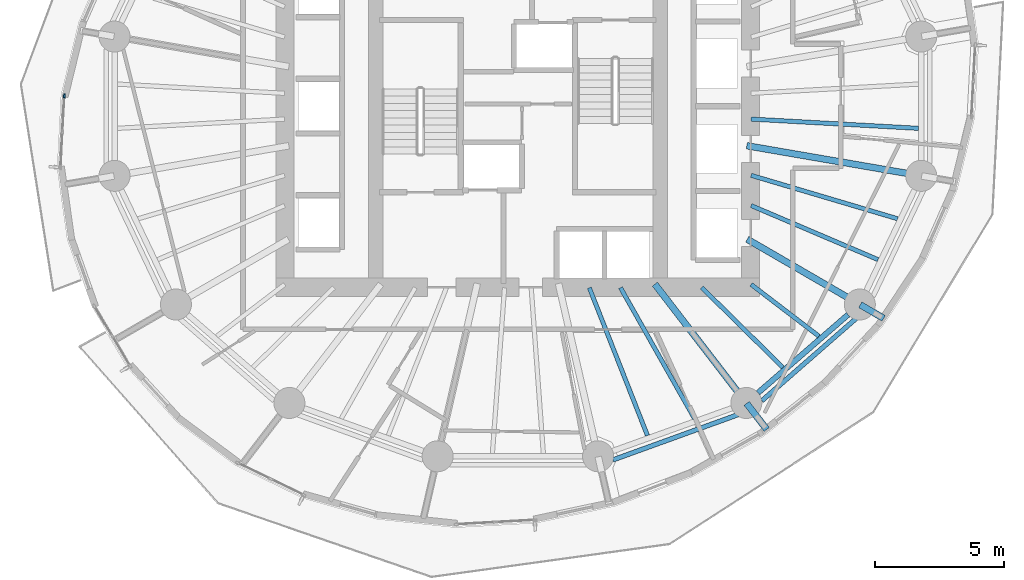
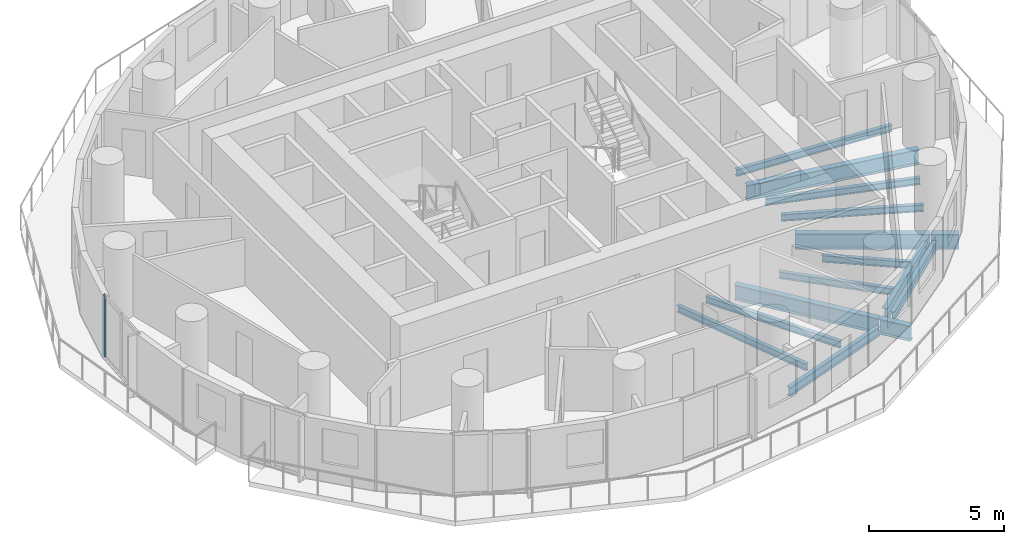
# One storey, part 3 of 15: 15 beams, 1 member, 1 element without a shape of its own.
"""IFC4 building model written with IfcOpenShell, lengths in metres."""

from ifc_helpers import new_model, si_unit, direction, frame, origin, origin_2d, place, context, subcontext, project, spatial, rectangle, i_section, extrude, material, material_profile, profile_set, type_object, element, aggregate, save


model = new_model("IFC4")

# Units and contexts
model_context = context("Model", 3, precision=1e-05, world=origin(), true_north=direction((0.0, 1.0)))
body_context = subcontext(model_context, "Body", "Model", "MODEL_VIEW")
ifc_project = project(units=[si_unit("LENGTHUNIT", "METRE"), si_unit("AREAUNIT", "SQUARE_METRE"), si_unit("VOLUMEUNIT", "CUBIC_METRE"), si_unit("PLANEANGLEUNIT", "RADIAN"), si_unit("MASSUNIT", "GRAM", prefix="KILO")], contexts=[model_context])

# Site, building, storey
site_placement = place(None, origin())
site = spatial("IfcSite", under=ifc_project, at=site_placement, CompositionType="ELEMENT")
building_placement = place(site_placement, origin())
building = spatial("IfcBuilding", under=site, at=building_placement, Name="Veldorim Arch Residences", CompositionType="ELEMENT")
storey_placement = place(building_placement, frame((0.0, 0.0, 109.280029296875)))
storey = spatial("IfcBuildingStorey", under=building, at=storey_placement, Name="L32", CompositionType="ELEMENT", Elevation=109.280029296875)

# Beams
ifc_material_1 = material(Name="Steel S355", Category="steel")
ifc_material_profile_1 = material_profile(ifc_material_1, i_section(OverallWidth=0.2119140625, OverallDepth=0.54443359375, WebThickness=0.0126953125, FlangeThickness=0.021240234375, at=origin_2d()), Name="UB533x210x122")
ifc_profile_set_1 = profile_set([ifc_material_profile_1], Name="Steel S355")
beam_type_1 = type_object("IfcBeamType", Name="Structural Steel Beam UB533x210x122", PredefinedType="BEAM", material=ifc_profile_set_1)
beam_1_placement = place(storey_placement, frame((41.28662109375, 12.9189453125, -0.51220703125), z_axis=(0.755244952556, 0.655442645576, 0.0), x_axis=(-0.655442645576, 0.755244952556, 0.0)))
element("IfcBeam", 1, at=beam_1_placement, inside=storey, type_object=beam_type_1, Name="L32 perimeter ring tie beam 14", PredefinedType="BEAM", context=body_context, shape_type="SweptSolid", body=[
    extrude(i_section(OverallWidth=0.2119140625, OverallDepth=0.54443359375, WebThickness=0.0126953125, FlangeThickness=0.021240234375, at=origin_2d()), origin(), (0.0, 0.0, 1.0), 4.608642578125),
])
ifc_material_2 = material(Name="Steel S355", Category="steel")
ifc_material_profile_2 = material_profile(ifc_material_2, i_section(OverallWidth=0.25439453125, OverallDepth=0.6875, WebThickness=0.01318359375, FlangeThickness=0.02099609375, at=origin_2d()), Name="UB686x254x152")
ifc_profile_set_2 = profile_set([ifc_material_profile_2], Name="Steel S355")
beam_type_2 = type_object("IfcBeamType", Name="Structural Steel GIRDER UB686x254x152", PredefinedType="USERDEFINED", material=ifc_profile_set_2)
beam_2_placement = place(storey_placement, frame((37.297607421875, 17.118896484375, -0.583740234375), z_axis=(0.609994628196, -0.792405548676, 0.0), x_axis=(0.792405548676, 0.609994628196, 0.0)))
element("IfcBeam", 2, at=beam_2_placement, inside=storey, type_object=beam_type_2, Name="L32 radial floor girder 14", ObjectType="GIRDER", PredefinedType="USERDEFINED", context=body_context, shape_type="SweptSolid", body=[
    extrude(i_section(OverallWidth=0.25439453125, OverallDepth=0.6875, WebThickness=0.01318359375, FlangeThickness=0.02099609375, at=origin_2d()), origin(), (0.0, 0.0, 1.0), 5.776611328125),
])
beam_3_placement = place(storey_placement, frame((40.845703125, 12.510009765625, -0.583740234375), z_axis=(0.610026114637, -0.792381309384, 0.0), x_axis=(0.792381309384, 0.610026114637, 0.0)))
element("IfcBeam", 3, at=beam_3_placement, inside=storey, type_object=beam_type_2, Name="L32 radial edge cantilever girder 14", ObjectType="GIRDER", PredefinedType="USERDEFINED", context=body_context, shape_type="SweptSolid", body=[
    extrude(i_section(OverallWidth=0.25439453125, OverallDepth=0.6875, WebThickness=0.01318359375, FlangeThickness=0.02099609375, at=origin_2d()), origin(), (0.0, 0.0, 1.0), 1.27197265625),
])
beam_4_placement = place(storey_placement, frame((40.8701171875, 18.85595703125, -0.583740234375), z_axis=(0.865048957682, -0.501687453314, 0.0), x_axis=(0.501687453314, 0.865048957682, 0.0)))
element("IfcBeam", 4, at=beam_4_placement, inside=storey, type_object=beam_type_2, Name="L32 radial floor girder 15", ObjectType="GIRDER", PredefinedType="USERDEFINED", context=body_context, shape_type="SweptSolid", body=[
    extrude(i_section(OverallWidth=0.25439453125, OverallDepth=0.6875, WebThickness=0.01318359375, FlangeThickness=0.02099609375, at=origin_2d()), origin(), (0.0, 0.0, 1.0), 5.009033203125),
])
beam_5_placement = place(storey_placement, frame((45.23779296875, 16.322998046875, -0.583740234375), z_axis=(0.865063622803, -0.501662165708, 0.0), x_axis=(0.501662165708, 0.865063622803, 0.0)))
element("IfcBeam", 5, at=beam_5_placement, inside=storey, type_object=beam_type_2, Name="L32 radial edge cantilever girder 15", ObjectType="GIRDER", PredefinedType="USERDEFINED", context=body_context, shape_type="SweptSolid", body=[
    extrude(i_section(OverallWidth=0.25439453125, OverallDepth=0.6875, WebThickness=0.01318359375, FlangeThickness=0.02099609375, at=origin_2d()), origin(), (0.0, 0.0, 1.0), 1.04541015625),
])
beam_6_placement = place(storey_placement, frame((40.852294921875, 22.4716796875, -0.583740234375), z_axis=(0.985426622718, -0.17010106184, 0.0), x_axis=(0.17010106184, 0.985426622718, 0.0)))
element("IfcBeam", 6, at=beam_6_placement, inside=storey, type_object=beam_type_2, Name="L32 radial floor girder 16", ObjectType="GIRDER", PredefinedType="USERDEFINED", context=body_context, shape_type="SweptSolid", body=[
    extrude(i_section(OverallWidth=0.25439453125, OverallDepth=0.6875, WebThickness=0.01318359375, FlangeThickness=0.02099609375, at=origin_2d()), origin(), (0.0, 0.0, 1.0), 6.82177734375),
])
ifc_material_3 = material(Name="Steel S355", Category="steel")
ifc_material_profile_3 = material_profile(ifc_material_3, i_section(OverallWidth=0.165771484375, OverallDepth=0.306640625, WebThickness=0.006591796875, FlangeThickness=0.01171875, at=origin_2d()), Name="UB305x165x46")
ifc_profile_set_3 = profile_set([ifc_material_profile_3], Name="Steel S355")
beam_type_3 = type_object("IfcBeamType", Name="Structural Steel Joist UB305x165x46", PredefinedType="JOIST", material=ifc_profile_set_3)
beam_7_placement = place(storey_placement, frame((34.761962890625, 16.9814453125, -0.393310546875), z_axis=(0.366194870364, -0.930538186707, 0.0), x_axis=(0.930538186707, 0.366194870364, 0.0)))
element("IfcBeam", 7, at=beam_7_placement, inside=storey, type_object=beam_type_3, Name="L32 secondary radial floor joist 13-1", PredefinedType="JOIST", context=body_context, shape_type="SweptSolid", body=[
    extrude(i_section(OverallWidth=0.165771484375, OverallDepth=0.306640625, WebThickness=0.006591796875, FlangeThickness=0.01171875, at=origin_2d()), origin(), (0.0, 0.0, 1.0), 6.1396484375),
])
beam_8_placement = place(storey_placement, frame((35.96826171875, 16.982666015625, -0.393310546875), z_axis=(0.492227411199, -0.870466642476, 0.0), x_axis=(0.870466642476, 0.492227411199, 0.0)))
element("IfcBeam", 8, at=beam_8_placement, inside=storey, type_object=beam_type_3, Name="L32 secondary radial floor joist 13-2", PredefinedType="JOIST", context=body_context, shape_type="SweptSolid", body=[
    extrude(i_section(OverallWidth=0.165771484375, OverallDepth=0.306640625, WebThickness=0.006591796875, FlangeThickness=0.01171875, at=origin_2d()), origin(), (0.0, 0.0, 1.0), 5.81494140625),
])
beam_9_placement = place(storey_placement, frame((39.114013671875, 16.986083984375, -0.393310546875), z_axis=(0.712111629941, -0.702066255066, 0.0), x_axis=(0.702066255066, 0.712111629941, 0.0)))
element("IfcBeam", 9, at=beam_9_placement, inside=storey, type_object=beam_type_3, Name="L32 secondary radial floor joist 14-1", PredefinedType="JOIST", context=body_context, shape_type="SweptSolid", body=[
    extrude(i_section(OverallWidth=0.165771484375, OverallDepth=0.306640625, WebThickness=0.006591796875, FlangeThickness=0.01171875, at=origin_2d()), origin(), (0.0, 0.0, 1.0), 4.39892578125),
])
beam_10_placement = place(storey_placement, frame((41.015869140625, 17.111572265625, -0.393310546875), z_axis=(0.794594763594, -0.60714014994, 0.0), x_axis=(0.60714014994, 0.794594763594, 0.0)))
element("IfcBeam", 10, at=beam_10_placement, inside=storey, type_object=beam_type_3, Name="L32 secondary radial floor joist 14-2", PredefinedType="JOIST", context=body_context, shape_type="SweptSolid", body=[
    extrude(i_section(OverallWidth=0.165771484375, OverallDepth=0.306640625, WebThickness=0.006591796875, FlangeThickness=0.01171875, at=origin_2d()), origin(), (0.0, 0.0, 1.0), 3.30419921875),
])
beam_11_placement = place(storey_placement, frame((41.018310546875, 20.158447265625, -0.393310546875), z_axis=(0.919997395122, -0.391924473552, 0.0), x_axis=(0.391924473552, 0.919997395122, 0.0)))
element("IfcBeam", 11, at=beam_11_placement, inside=storey, type_object=beam_type_3, Name="L32 secondary radial floor joist 15-1", PredefinedType="JOIST", context=body_context, shape_type="SweptSolid", body=[
    extrude(i_section(OverallWidth=0.165771484375, OverallDepth=0.306640625, WebThickness=0.006591796875, FlangeThickness=0.01171875, at=origin_2d()), origin(), (0.0, 0.0, 1.0), 5.334716796875),
])
beam_12_placement = place(storey_placement, frame((41.019287109375, 21.326416015625, -0.393310546875), z_axis=(0.958753061488, -0.284240333324, 0.0), x_axis=(0.284240333324, 0.958753061488, 0.0)))
element("IfcBeam", 12, at=beam_12_placement, inside=storey, type_object=beam_type_3, Name="L32 secondary radial floor joist 15-2", PredefinedType="JOIST", context=body_context, shape_type="SweptSolid", body=[
    extrude(i_section(OverallWidth=0.165771484375, OverallDepth=0.306640625, WebThickness=0.006591796875, FlangeThickness=0.01171875, at=origin_2d()), origin(), (0.0, 0.0, 1.0), 5.906005859375),
])
beam_13_placement = place(storey_placement, frame((41.02001953125, 23.501708984375, -0.393310546875), z_axis=(0.99847713097, -0.055167190702, 0.0), x_axis=(0.055167190702, 0.99847713097, 0.0)))
element("IfcBeam", 13, at=beam_13_placement, inside=storey, type_object=beam_type_3, Name="L32 secondary radial floor joist 16-1", PredefinedType="JOIST", context=body_context, shape_type="SweptSolid", body=[
    extrude(i_section(OverallWidth=0.165771484375, OverallDepth=0.306640625, WebThickness=0.006591796875, FlangeThickness=0.01171875, at=origin_2d()), origin(), (0.0, 0.0, 1.0), 6.474365234375),
])
ifc_material_4 = material(Name="Steel S355", Category="steel")
ifc_material_profile_4 = material_profile(ifc_material_4, i_section(OverallWidth=0.1787109375, OverallDepth=0.409423828125, WebThickness=0.0087890625, FlangeThickness=0.014404296875, at=origin_2d()), Name="UB406x178x67")
ifc_profile_set_4 = profile_set([ifc_material_profile_4], Name="Steel S355")
beam_type_4 = type_object("IfcBeamType", Name="Structural Steel Spandrel UB406x178x67", PredefinedType="SPANDREL", material=ifc_profile_set_4)
beam_14_placement = place(storey_placement, frame((35.672119140625, 10.3232421875, -0.46484375), z_axis=(0.940307501418, 0.340326024244, 0.0), x_axis=(-0.340326024244, 0.940307501418, 0.0)))
element("IfcBeam", 14, at=beam_14_placement, inside=storey, type_object=beam_type_4, Name="L32 perimeter chord spandrel beam 13", PredefinedType="SPANDREL", context=body_context, shape_type="SweptSolid", body=[
    extrude(i_section(OverallWidth=0.1787109375, OverallDepth=0.409423828125, WebThickness=0.0087890625, FlangeThickness=0.014404296875, at=origin_2d()), origin(), (0.0, 0.0, 1.0), 5.175048828125),
])
beam_15_placement = place(storey_placement, frame((41.4326171875, 12.611572265625, -0.46484375), z_axis=(0.753323239074, 0.65765043714, 0.0), x_axis=(-0.65765043714, 0.753323239074, 0.0)))
element("IfcBeam", 15, at=beam_15_placement, inside=storey, type_object=beam_type_4, Name="L32 perimeter chord spandrel beam 14", PredefinedType="SPANDREL", context=body_context, shape_type="SweptSolid", body=[
    extrude(i_section(OverallWidth=0.1787109375, OverallDepth=0.409423828125, WebThickness=0.0087890625, FlangeThickness=0.014404296875, at=origin_2d()), origin(), (0.0, 0.0, 1.0), 4.879150390625),
])

# Curtain wall, member
ifc_material_5 = material(Name="Aluminium", Category="aluminium")
curtain_wall_type = type_object("IfcCurtainWallType", Name="Zone 2 Solar-Control Unitised Curtain Wall", PredefinedType="NOTDEFINED", material=ifc_material_5)
curtain_wall_placement = place(storey_placement, origin())
curtain_wall = element("IfcCurtainWall", 16, at=curtain_wall_placement, inside=storey, type_object=curtain_wall_type, Name="L32 unitised curtain wall bay 16", PredefinedType="NOTDEFINED")
ifc_material_6 = material(Name="Aluminium", Category="aluminium")
ifc_material_profile_5 = material_profile(ifc_material_6, rectangle(XDim=0.06494140625, YDim=0.1650390625, at=origin_2d()), Name="ALU_MUL_65x165")
ifc_profile_set_5 = profile_set([ifc_material_profile_5], Name="Aluminium")
member_type = type_object("IfcMemberType", Name="Zone 2 Solar-Control Unitised Curtain Wall Mullion 65x165", PredefinedType="MULLION", material=ifc_profile_set_5)
member_placement = place(storey_placement, frame((14.462890625, 24.39990234375, 0.0), z_axis=(0.0, 0.0, 1.0), x_axis=(-0.998590099536, 0.053083077429, 0.0)))
member = element("IfcMember", 17, at=member_placement, type_object=member_type, Name="CW-Z2 mullion 3", PredefinedType="MULLION", context=body_context, shape_type="SweptSolid", body=[
    extrude(rectangle(XDim=0.06494140625, YDim=0.1650390625, at=origin_2d()), origin(), (0.0, 0.0, 1.0), 2.800048828125),
])
aggregate(curtain_wall, [member])

save(model, "model.ifc")
